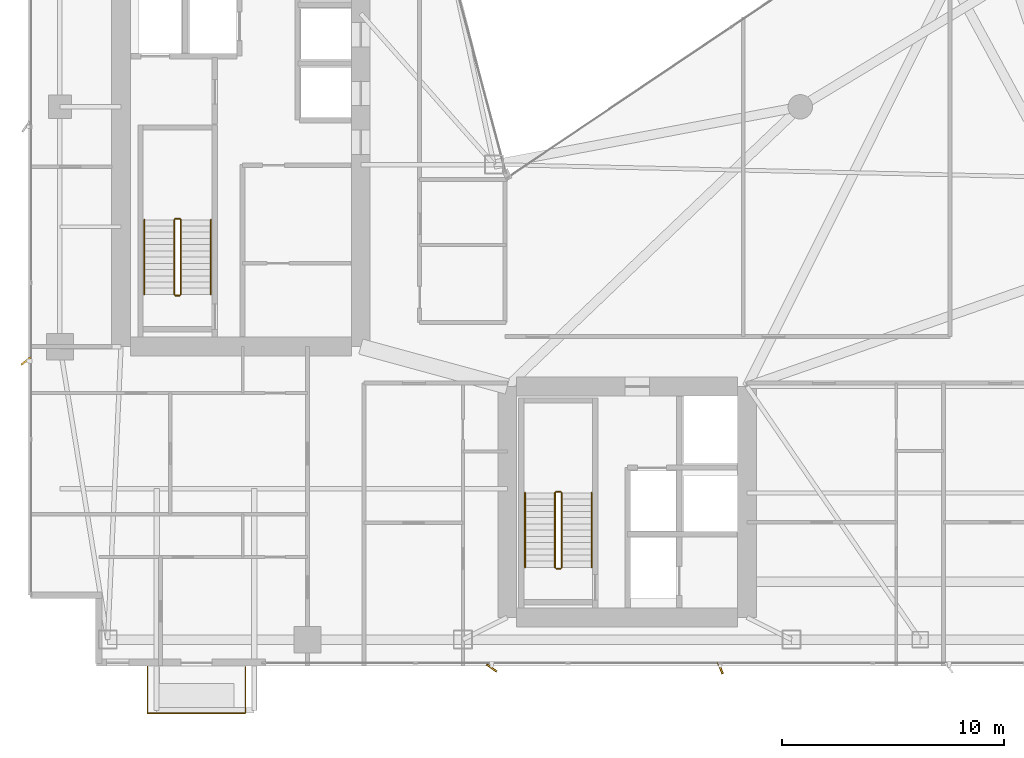
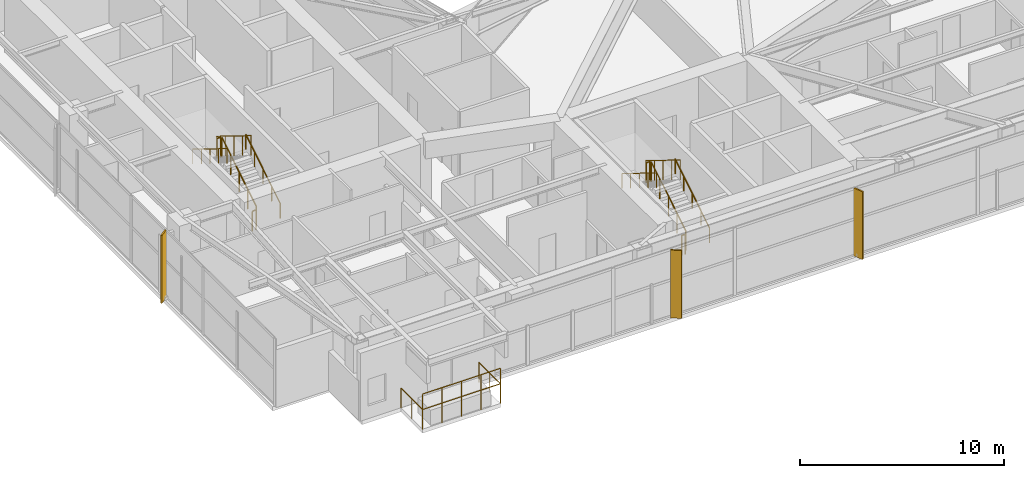
# One storey, part 29 of 30: 14 railings, 3 shading devices.
"""IFC4 building model written with IfcOpenShell, lengths in metres."""

from ifc_helpers import new_model, si_unit, direction, frame, origin, origin_2d, place, context, subcontext, project, spatial, rectangle, circle, extrude, material, type_object, element, save


model = new_model("IFC4")

# Units and contexts
model_context = context("Model", 3, precision=1e-05, world=origin(), true_north=direction((0.0, 1.0)))
body_context = subcontext(model_context, "Body", "Model", "MODEL_VIEW")
ifc_project = project(units=[si_unit("LENGTHUNIT", "METRE"), si_unit("AREAUNIT", "SQUARE_METRE"), si_unit("VOLUMEUNIT", "CUBIC_METRE"), si_unit("PLANEANGLEUNIT", "RADIAN"), si_unit("MASSUNIT", "GRAM", prefix="KILO")], contexts=[model_context])

# Site, building, storey
site_placement = place(None, origin())
site = spatial("IfcSite", under=ifc_project, at=site_placement, CompositionType="ELEMENT")
building_placement = place(site_placement, origin())
building = spatial("IfcBuilding", under=site, at=building_placement, Name="Calvorn Quay Hotel", CompositionType="ELEMENT")
storey_placement = place(building_placement, frame((0.0, 0.0, 195.10009765625)))
storey = spatial("IfcBuildingStorey", under=building, at=storey_placement, Name="L48", CompositionType="ELEMENT", Elevation=195.10009765625)

# Railings
ifc_material_1 = material(Name="Pale Anodised Aluminium and Laminated Glass", Category="aluminium")
railing_type_1 = type_object("IfcRailingType", Name="RLG-BALUSTRADE-1200", PredefinedType="BALUSTRADE", material=ifc_material_1)
railing_1_placement = place(storey_placement, frame((5.39990234375, 2.389892578125, 0.0)))
element("IfcRailing", 1, at=railing_1_placement, inside=storey, type_object=railing_type_1, Name="Tree Balcony Perimeter Balustrade L48-BALC-S", PredefinedType="BALUSTRADE", context=body_context, shape_type="SweptSolid", body=[
    extrude(circle(Radius=0.02392578125, at=origin_2d()), frame((0.0, 0.0, 1.17578125), z_axis=(0.0, -1.0, 0.0), x_axis=(1.0, 0.0, 0.0)), (0.0, 0.0, 1.0), 2.099853515625),
    extrude(circle(Radius=0.02392578125, at=origin_2d()), frame((0.0, -2.099853515625, 1.17578125), z_axis=(1.0, 0.0, 0.0), x_axis=(0.0, 1.0, 0.0)), (0.0, 0.0, 1.0), 4.400146484375),
    extrude(circle(Radius=0.02392578125, at=origin_2d()), frame((4.400146484375, -2.099853515625, 1.17578125), z_axis=(0.0, 1.0, 0.0), x_axis=(-1.0, 0.0, 0.0)), (0.0, 0.0, 1.0), 2.099853515625),
    extrude(circle(Radius=0.02099609375, at=origin_2d()), origin(), (0.0, 0.0, 1.0), 1.15185546875),
    extrude(circle(Radius=0.02099609375, at=origin_2d()), frame((0.0, -1.0498046875, 0.0)), (0.0, 0.0, 1.0), 1.15185546875),
    extrude(circle(Radius=0.02099609375, at=origin_2d()), frame((0.0, -2.099853515625, 0.0)), (0.0, 0.0, 1.0), 1.15185546875),
    extrude(circle(Radius=0.02099609375, at=origin_2d()), frame((1.10009765625, -2.099853515625, 0.0)), (0.0, 0.0, 1.0), 1.15185546875),
    extrude(circle(Radius=0.02099609375, at=origin_2d()), frame((2.2001953125, -2.099853515625, 0.0)), (0.0, 0.0, 1.0), 1.15185546875),
    extrude(circle(Radius=0.02099609375, at=origin_2d()), frame((3.300048828125, -2.099853515625, 0.0)), (0.0, 0.0, 1.0), 1.15185546875),
    extrude(circle(Radius=0.02099609375, at=origin_2d()), frame((4.400146484375, -2.099853515625, 0.0)), (0.0, 0.0, 1.0), 1.15185546875),
    extrude(circle(Radius=0.02099609375, at=origin_2d()), frame((4.400146484375, -1.0498046875, 0.0)), (0.0, 0.0, 1.0), 1.15185546875),
    extrude(circle(Radius=0.02099609375, at=origin_2d()), frame((4.400146484375, 0.0, 0.0)), (0.0, 0.0, 1.0), 1.15185546875),
])
railing_2_placement = place(storey_placement, frame((5.39990234375, 0.2900390625, 0.89990234375)))
element("IfcRailing", 2, at=railing_2_placement, inside=storey, type_object=railing_type_1, Name="Planter Kerb High Safety Screen L48-BALC-S", PredefinedType="BALUSTRADE", context=body_context, shape_type="SweptSolid", body=[
    extrude(circle(Radius=0.02392578125, at=origin_2d()), frame((0.0, 0.0, 1.19580078125), z_axis=(1.0, 0.0, 0.0), x_axis=(0.0, 1.0, 0.0)), (0.0, 0.0, 1.0), 4.400146484375),
    extrude(circle(Radius=0.02099609375, at=origin_2d()), origin(), (0.0, 0.0, 1.0), 1.171875),
    extrude(circle(Radius=0.02099609375, at=origin_2d()), frame((1.10009765625, 0.0, 0.0)), (0.0, 0.0, 1.0), 1.171875),
    extrude(circle(Radius=0.02099609375, at=origin_2d()), frame((2.2001953125, 0.0, 0.0)), (0.0, 0.0, 1.0), 1.171875),
    extrude(circle(Radius=0.02099609375, at=origin_2d()), frame((3.300048828125, 0.0, 0.0)), (0.0, 0.0, 1.0), 1.171875),
    extrude(circle(Radius=0.02099609375, at=origin_2d()), frame((4.400146484375, 0.0, 0.0)), (0.0, 0.0, 1.0), 1.171875),
])
ifc_material_2 = material(Name="Brushed Stainless Steel Handrail", Category="steel")
railing_type_2 = type_object("IfcRailingType", Name="RLG-HANDRAIL-900", PredefinedType="HANDRAIL", material=ifc_material_2)
railing_3_placement = place(storey_placement, frame((8.25, 19.14990234375, 0.173095703125)))
element("IfcRailing", 3, at=railing_3_placement, inside=storey, type_object=railing_type_2, Name="L48 ST-W stair handrail 1", PredefinedType="HANDRAIL", context=body_context, shape_type="SweptSolid", body=[
    extrude(circle(Radius=0.02392578125, at=origin_2d()), frame((0.0, 0.0, 0.8759765625), z_axis=(0.0, 0.850623216509, 0.525775754039), x_axis=(-1.0, 0.0, 0.0)), (0.0, 0.0, 1.0), 3.9501953125),
    extrude(circle(Radius=0.02099609375, at=origin_2d()), origin(), (0.0, 0.0, 1.0), 0.851806640625),
    extrude(circle(Radius=0.02099609375, at=origin_2d()), frame((0.0, 0.840087890625, 0.519287109375)), (0.0, 0.0, 1.0), 0.851806640625),
    extrude(circle(Radius=0.02099609375, at=origin_2d()), frame((0.0, 1.68017578125, 1.03857421875)), (0.0, 0.0, 1.0), 0.851806640625),
    extrude(circle(Radius=0.02099609375, at=origin_2d()), frame((0.0, 2.52001953125, 1.5576171875)), (0.0, 0.0, 1.0), 0.851806640625),
    extrude(circle(Radius=0.02099609375, at=origin_2d()), frame((0.0, 3.360107421875, 2.076904296875)), (0.0, 0.0, 1.0), 0.851806640625),
])
railing_4_placement = place(storey_placement, frame((5.25, 22.510009765625, 2.423095703125)))
element("IfcRailing", 4, at=railing_4_placement, inside=storey, type_object=railing_type_2, Name="L48 ST-W stair handrail 2", PredefinedType="HANDRAIL", context=body_context, shape_type="SweptSolid", body=[
    extrude(circle(Radius=0.02392578125, at=origin_2d()), frame((0.0, 0.0, 0.8759765625), z_axis=(0.0, -0.850623216509, 0.525775754039), x_axis=(1.0, 0.0, 0.0)), (0.0, 0.0, 1.0), 3.9501953125),
    extrude(circle(Radius=0.02099609375, at=origin_2d()), origin(), (0.0, 0.0, 1.0), 0.851806640625),
    extrude(circle(Radius=0.02099609375, at=origin_2d()), frame((0.0, -0.840087890625, 0.519287109375)), (0.0, 0.0, 1.0), 0.851806640625),
    extrude(circle(Radius=0.02099609375, at=origin_2d()), frame((0.0, -1.68017578125, 1.03857421875)), (0.0, 0.0, 1.0), 0.851806640625),
    extrude(circle(Radius=0.02099609375, at=origin_2d()), frame((0.0, -2.52001953125, 1.5576171875)), (0.0, 0.0, 1.0), 0.851806640625),
    extrude(circle(Radius=0.02099609375, at=origin_2d()), frame((0.0, -3.360107421875, 2.076904296875)), (0.0, 0.0, 1.0), 0.851806640625),
])
railing_5_placement = place(storey_placement, frame((25.39990234375, 6.85009765625, 0.173095703125)))
element("IfcRailing", 5, at=railing_5_placement, inside=storey, type_object=railing_type_2, Name="L48 ST-E stair handrail 1", PredefinedType="HANDRAIL", context=body_context, shape_type="SweptSolid", body=[
    extrude(circle(Radius=0.02392578125, at=origin_2d()), frame((0.0, 0.0, 0.8759765625), z_axis=(0.0, 0.850606129759, 0.525803396734), x_axis=(-1.0, 0.0, 0.0)), (0.0, 0.0, 1.0), 3.949951171875),
    extrude(circle(Radius=0.02099609375, at=origin_2d()), origin(), (0.0, 0.0, 1.0), 0.851806640625),
    extrude(circle(Radius=0.02099609375, at=origin_2d()), frame((0.0, 0.83984375, 0.519287109375)), (0.0, 0.0, 1.0), 0.851806640625),
    extrude(circle(Radius=0.02099609375, at=origin_2d()), frame((0.0, 1.679931640625, 1.03857421875)), (0.0, 0.0, 1.0), 0.851806640625),
    extrude(circle(Radius=0.02099609375, at=origin_2d()), frame((0.0, 2.52001953125, 1.5576171875)), (0.0, 0.0, 1.0), 0.851806640625),
    extrude(circle(Radius=0.02099609375, at=origin_2d()), frame((0.0, 3.35986328125, 2.076904296875)), (0.0, 0.0, 1.0), 0.851806640625),
])
railing_6_placement = place(storey_placement, frame((22.39990234375, 10.2099609375, 2.423095703125)))
element("IfcRailing", 6, at=railing_6_placement, inside=storey, type_object=railing_type_2, Name="L48 ST-E stair handrail 2", PredefinedType="HANDRAIL", context=body_context, shape_type="SweptSolid", body=[
    extrude(circle(Radius=0.02392578125, at=origin_2d()), frame((0.0, 0.0, 0.8759765625), z_axis=(0.0, -0.850606129759, 0.525803396734), x_axis=(1.0, 0.0, 0.0)), (0.0, 0.0, 1.0), 3.949951171875),
    extrude(circle(Radius=0.02099609375, at=origin_2d()), origin(), (0.0, 0.0, 1.0), 0.851806640625),
    extrude(circle(Radius=0.02099609375, at=origin_2d()), frame((0.0, -0.83984375, 0.519287109375)), (0.0, 0.0, 1.0), 0.851806640625),
    extrude(circle(Radius=0.02099609375, at=origin_2d()), frame((0.0, -1.679931640625, 1.03857421875)), (0.0, 0.0, 1.0), 0.851806640625),
    extrude(circle(Radius=0.02099609375, at=origin_2d()), frame((0.0, -2.52001953125, 1.5576171875)), (0.0, 0.0, 1.0), 0.851806640625),
    extrude(circle(Radius=0.02099609375, at=origin_2d()), frame((0.0, -3.35986328125, 2.076904296875)), (0.0, 0.0, 1.0), 0.851806640625),
])
ifc_material_3 = material(Name="Painted Galvanised Steel Balustrade", Category="steel")
railing_type_3 = type_object("IfcRailingType", Name="RLG-STAIR-GUARD-1120", PredefinedType="GUARDRAIL", material=ifc_material_3)
railing_7_placement = place(storey_placement, frame((6.89990234375, 19.14990234375, 0.173095703125)))
element("IfcRailing", 7, at=railing_7_placement, inside=storey, type_object=railing_type_3, Name="L48 ST-W stair guard 1", PredefinedType="GUARDRAIL", context=body_context, shape_type="SweptSolid", body=[
    extrude(circle(Radius=0.02392578125, at=origin_2d()), frame((0.0, 0.0, 1.17578125), z_axis=(0.0, 0.850623216509, 0.525775754039), x_axis=(-1.0, 0.0, 0.0)), (0.0, 0.0, 1.0), 3.9501953125),
    extrude(circle(Radius=0.02099609375, at=origin_2d()), origin(), (0.0, 0.0, 1.0), 1.15185546875),
    extrude(circle(Radius=0.02099609375, at=origin_2d()), frame((0.0, 0.840087890625, 0.519287109375)), (0.0, 0.0, 1.0), 1.15185546875),
    extrude(circle(Radius=0.02099609375, at=origin_2d()), frame((0.0, 1.68017578125, 1.03857421875)), (0.0, 0.0, 1.0), 1.15185546875),
    extrude(circle(Radius=0.02099609375, at=origin_2d()), frame((0.0, 2.52001953125, 1.5576171875)), (0.0, 0.0, 1.0), 1.15185546875),
    extrude(circle(Radius=0.02099609375, at=origin_2d()), frame((0.0, 3.360107421875, 2.076904296875)), (0.0, 0.0, 1.0), 1.15185546875),
])
railing_8_placement = place(storey_placement, frame((6.85009765625, 22.56005859375, 2.25)))
element("IfcRailing", 8, at=railing_8_placement, inside=storey, type_object=railing_type_3, Name="L48 ST-W stair guard 2", PredefinedType="GUARDRAIL", context=body_context, shape_type="SweptSolid", body=[
    extrude(circle(Radius=0.02392578125, at=origin_2d()), frame((0.0, 0.0, 1.17578125), z_axis=(-1.0, 0.0, 0.0), x_axis=(0.0, -1.0, 0.0)), (0.0, 0.0, 1.0), 0.2001953125),
    extrude(circle(Radius=0.02099609375, at=origin_2d()), origin(), (0.0, 0.0, 1.0), 1.15185546875),
    extrude(circle(Radius=0.02099609375, at=origin_2d()), frame((-0.2001953125, 0.0, 0.0)), (0.0, 0.0, 1.0), 1.15185546875),
])
railing_9_placement = place(storey_placement, frame((6.60009765625, 22.510009765625, 2.423095703125)))
element("IfcRailing", 9, at=railing_9_placement, inside=storey, type_object=railing_type_3, Name="L48 ST-W stair guard 3", PredefinedType="GUARDRAIL", context=body_context, shape_type="SweptSolid", body=[
    extrude(circle(Radius=0.02392578125, at=origin_2d()), frame((0.0, 0.0, 1.17578125), z_axis=(0.0, -0.850623216509, 0.525775754039), x_axis=(1.0, 0.0, 0.0)), (0.0, 0.0, 1.0), 3.9501953125),
    extrude(circle(Radius=0.02099609375, at=origin_2d()), origin(), (0.0, 0.0, 1.0), 1.15185546875),
    extrude(circle(Radius=0.02099609375, at=origin_2d()), frame((0.0, -0.840087890625, 0.519287109375)), (0.0, 0.0, 1.0), 1.15185546875),
    extrude(circle(Radius=0.02099609375, at=origin_2d()), frame((0.0, -1.68017578125, 1.03857421875)), (0.0, 0.0, 1.0), 1.15185546875),
    extrude(circle(Radius=0.02099609375, at=origin_2d()), frame((0.0, -2.52001953125, 1.5576171875)), (0.0, 0.0, 1.0), 1.15185546875),
    extrude(circle(Radius=0.02099609375, at=origin_2d()), frame((0.0, -3.360107421875, 2.076904296875)), (0.0, 0.0, 1.0), 1.15185546875),
])
railing_10_placement = place(storey_placement, frame((6.85009765625, 19.10009765625, 0.0)))
element("IfcRailing", 10, at=railing_10_placement, inside=storey, type_object=railing_type_3, Name="L48 ST-W stair guard 4", PredefinedType="GUARDRAIL", context=body_context, shape_type="SweptSolid", body=[
    extrude(circle(Radius=0.02392578125, at=origin_2d()), frame((0.0, 0.0, 1.17578125), z_axis=(-1.0, 0.0, 0.0), x_axis=(0.0, -1.0, 0.0)), (0.0, 0.0, 1.0), 0.2001953125),
    extrude(circle(Radius=0.02099609375, at=origin_2d()), origin(), (0.0, 0.0, 1.0), 1.15185546875),
    extrude(circle(Radius=0.02099609375, at=origin_2d()), frame((-0.2001953125, 0.0, 0.0)), (0.0, 0.0, 1.0), 1.15185546875),
])
railing_11_placement = place(storey_placement, frame((24.050048828125, 6.85009765625, 0.173095703125)))
element("IfcRailing", 11, at=railing_11_placement, inside=storey, type_object=railing_type_3, Name="L48 ST-E stair guard 1", PredefinedType="GUARDRAIL", context=body_context, shape_type="SweptSolid", body=[
    extrude(circle(Radius=0.02392578125, at=origin_2d()), frame((0.0, 0.0, 1.17578125), z_axis=(0.0, 0.850606129759, 0.525803396734), x_axis=(-1.0, 0.0, 0.0)), (0.0, 0.0, 1.0), 3.949951171875),
    extrude(circle(Radius=0.02099609375, at=origin_2d()), origin(), (0.0, 0.0, 1.0), 1.15185546875),
    extrude(circle(Radius=0.02099609375, at=origin_2d()), frame((0.0, 0.83984375, 0.519287109375)), (0.0, 0.0, 1.0), 1.15185546875),
    extrude(circle(Radius=0.02099609375, at=origin_2d()), frame((0.0, 1.679931640625, 1.03857421875)), (0.0, 0.0, 1.0), 1.15185546875),
    extrude(circle(Radius=0.02099609375, at=origin_2d()), frame((0.0, 2.52001953125, 1.5576171875)), (0.0, 0.0, 1.0), 1.15185546875),
    extrude(circle(Radius=0.02099609375, at=origin_2d()), frame((0.0, 3.35986328125, 2.076904296875)), (0.0, 0.0, 1.0), 1.15185546875),
])
railing_12_placement = place(storey_placement, frame((24.0, 10.260009765625, 2.25)))
element("IfcRailing", 12, at=railing_12_placement, inside=storey, type_object=railing_type_3, Name="L48 ST-E stair guard 2", PredefinedType="GUARDRAIL", context=body_context, shape_type="SweptSolid", body=[
    extrude(circle(Radius=0.02392578125, at=origin_2d()), frame((0.0, 0.0, 1.17578125), z_axis=(-1.0, 0.0, 0.0), x_axis=(0.0, -1.0, 0.0)), (0.0, 0.0, 1.0), 0.199951171875),
    extrude(circle(Radius=0.02099609375, at=origin_2d()), origin(), (0.0, 0.0, 1.0), 1.15185546875),
    extrude(circle(Radius=0.02099609375, at=origin_2d()), frame((-0.199951171875, 0.0, 0.0)), (0.0, 0.0, 1.0), 1.15185546875),
])
railing_13_placement = place(storey_placement, frame((23.75, 10.2099609375, 2.423095703125)))
element("IfcRailing", 13, at=railing_13_placement, inside=storey, type_object=railing_type_3, Name="L48 ST-E stair guard 3", PredefinedType="GUARDRAIL", context=body_context, shape_type="SweptSolid", body=[
    extrude(circle(Radius=0.02392578125, at=origin_2d()), frame((0.0, 0.0, 1.17578125), z_axis=(0.0, -0.850606129759, 0.525803396734), x_axis=(1.0, 0.0, 0.0)), (0.0, 0.0, 1.0), 3.949951171875),
    extrude(circle(Radius=0.02099609375, at=origin_2d()), origin(), (0.0, 0.0, 1.0), 1.15185546875),
    extrude(circle(Radius=0.02099609375, at=origin_2d()), frame((0.0, -0.83984375, 0.519287109375)), (0.0, 0.0, 1.0), 1.15185546875),
    extrude(circle(Radius=0.02099609375, at=origin_2d()), frame((0.0, -1.679931640625, 1.03857421875)), (0.0, 0.0, 1.0), 1.15185546875),
    extrude(circle(Radius=0.02099609375, at=origin_2d()), frame((0.0, -2.52001953125, 1.5576171875)), (0.0, 0.0, 1.0), 1.15185546875),
    extrude(circle(Radius=0.02099609375, at=origin_2d()), frame((0.0, -3.35986328125, 2.076904296875)), (0.0, 0.0, 1.0), 1.15185546875),
])
railing_14_placement = place(storey_placement, frame((24.0, 6.800048828125, 0.0)))
element("IfcRailing", 14, at=railing_14_placement, inside=storey, type_object=railing_type_3, Name="L48 ST-E stair guard 4", PredefinedType="GUARDRAIL", context=body_context, shape_type="SweptSolid", body=[
    extrude(circle(Radius=0.02392578125, at=origin_2d()), frame((0.0, 0.0, 1.17578125), z_axis=(-1.0, 0.0, 0.0), x_axis=(0.0, -1.0, 0.0)), (0.0, 0.0, 1.0), 0.199951171875),
    extrude(circle(Radius=0.02099609375, at=origin_2d()), origin(), (0.0, 0.0, 1.0), 1.15185546875),
    extrude(circle(Radius=0.02099609375, at=origin_2d()), frame((-0.199951171875, 0.0, 0.0)), (0.0, 0.0, 1.0), 1.15185546875),
])

# Shading devices
ifc_material_4 = material(Name="Champagne Bronze Anodised Aluminium 6063-T6", Category="aluminium")
shading_device_type_1 = type_object("IfcShadingDeviceType", Name="SHD-FIN-A1", PredefinedType="USERDEFINED", material=ifc_material_4)
shading_device_1_placement = place(storey_placement, frame((31.199951171875, 2.320068359375, 0.0), z_axis=(0.0, 0.0, 1.0), x_axis=(-0.374606593416, 0.927183854567, 0.0)))
element("IfcShadingDevice", 15, at=shading_device_1_placement, inside=storey, type_object=shading_device_type_1, Name="Diagonal Sun-Shading Fin L48-S02", ObjectType="FIN", PredefinedType="USERDEFINED", context=body_context, shape_type="SweptSolid", body=[
    extrude(rectangle(XDim=0.550048828125, YDim=0.080078125, at=origin_2d()), origin(), (0.0, 0.0, 1.0), 4.050048828125),
])
ifc_material_5 = material(Name="Champagne Bronze Anodised Aluminium 6063-T6", Category="aluminium")
shading_device_type_2 = type_object("IfcShadingDeviceType", Name="SHD-FIN-A2", PredefinedType="USERDEFINED", material=ifc_material_5)
shading_device_2_placement = place(storey_placement, frame((-0.080078125, 16.14990234375, 0.0), z_axis=(0.0, 0.0, 1.0), x_axis=(0.788010753607, 0.615661475326, 0.0)))
element("IfcShadingDevice", 16, at=shading_device_2_placement, inside=storey, type_object=shading_device_type_2, Name="Diagonal Sun-Shading Fin L48-W01", ObjectType="FIN", PredefinedType="USERDEFINED", context=body_context, shape_type="SweptSolid", body=[
    extrude(rectangle(XDim=0.550048828125, YDim=0.080078125, at=origin_2d()), origin(), (0.0, 0.0, 1.0), 4.050048828125),
])
ifc_material_6 = material(Name="Champagne Bronze Anodised Aluminium 6063-T6", Category="aluminium")
shading_device_type_3 = type_object("IfcShadingDeviceType", Name="SHD-FIN-A3", PredefinedType="USERDEFINED", material=ifc_material_6)
shading_device_3_placement = place(storey_placement, frame((20.89990234375, 2.320068359375, 0.0), z_axis=(0.0, 0.0, 1.0), x_axis=(-0.809016994375, 0.587785252292, 0.0)))
element("IfcShadingDevice", 17, at=shading_device_3_placement, inside=storey, type_object=shading_device_type_3, Name="Diagonal Sun-Shading Fin L48-S01", ObjectType="FIN", PredefinedType="USERDEFINED", context=body_context, shape_type="SweptSolid", body=[
    extrude(rectangle(XDim=0.550048828125, YDim=0.080078125, at=origin_2d()), origin(), (0.0, 0.0, 1.0), 4.050048828125),
])

save(model, "model.ifc")
